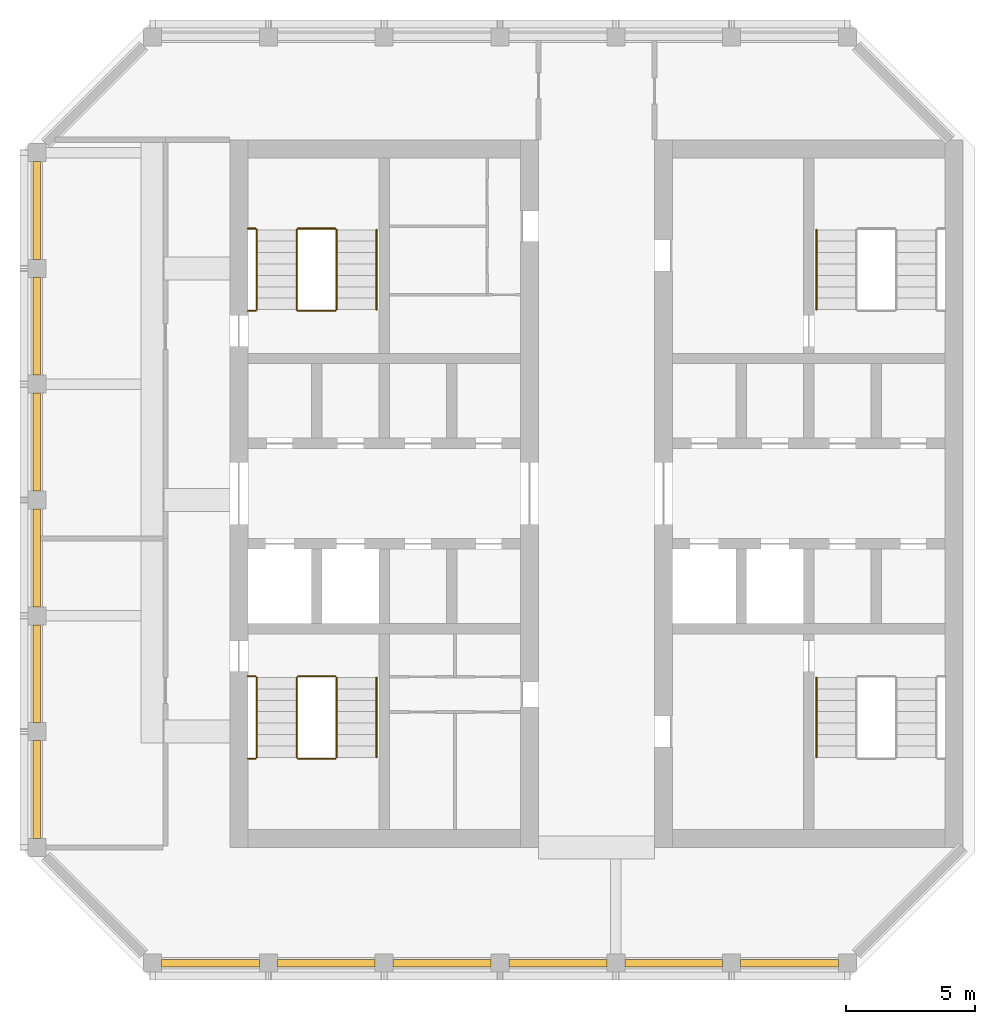
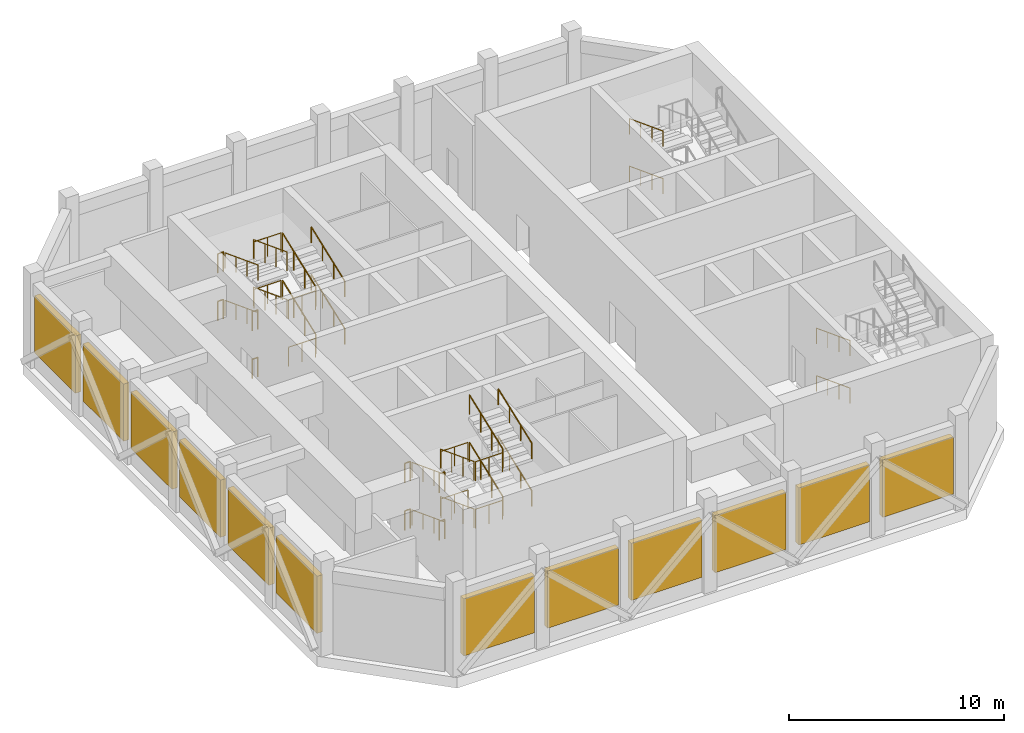
# One storey, part 6 of 7: 36 railings, 12 shading devices.
"""IFC4 building model written with IfcOpenShell, lengths in metres."""

from ifc_helpers import new_model, si_unit, direction, frame, origin, origin_2d, place, context, subcontext, project, spatial, rectangle, circle, extrude, material, layer, layer_set, type_object, element, save


model = new_model("IFC4")

# Units and contexts
model_context = context("Model", 3, precision=1e-05, world=origin(), true_north=direction((0.0, 1.0)))
body_context = subcontext(model_context, "Body", "Model", "MODEL_VIEW")
ifc_project = project(units=[si_unit("LENGTHUNIT", "METRE"), si_unit("AREAUNIT", "SQUARE_METRE"), si_unit("VOLUMEUNIT", "CUBIC_METRE"), si_unit("PLANEANGLEUNIT", "RADIAN"), si_unit("MASSUNIT", "GRAM", prefix="KILO")], contexts=[model_context])

# Site, building, storey
site_placement = place(None, origin())
site = spatial("IfcSite", under=ifc_project, at=site_placement, CompositionType="ELEMENT")
building_placement = place(site_placement, origin())
building = spatial("IfcBuilding", under=site, at=building_placement, Name="Corbel Stack Research Tower", CompositionType="ELEMENT")
storey_placement = place(building_placement, frame((0.0, 0.0, 306.39990234375)))
storey = spatial("IfcBuildingStorey", under=building, at=storey_placement, Name="L69", CompositionType="ELEMENT", Elevation=306.39990234375)

# Shading devices
ifc_material_1 = material(Name="Aluminium louvre", Category="aluminium")
ifc_layer = layer(ifc_material_1, 0.300048828125)
ifc_layer_set = layer_set([ifc_layer], Name="Aluminium louvre")
shading_device_type = type_object("IfcShadingDeviceType", Name="Plant louvre 300", PredefinedType="USERDEFINED", material=ifc_layer_set)
for number, where, z_axis, x_axis, name in (
    (1, (-11.25, -13.5, 0.85009765625), (0.0, 0.0, 1.0), (1.0, 0.0, 0.0), "Plant louvre L69-01"),
    (2, (-6.75, -13.5, 0.85009765625), (0.0, 0.0, 1.0), (1.0, 0.0, 0.0), "Plant louvre L69-02"),
    (3, (-2.25, -13.5, 0.85009765625), (0.0, 0.0, 1.0), (1.0, 0.0, 0.0), "Plant louvre L69-03"),
    (4, (2.25, -13.5, 0.85009765625), (0.0, 0.0, 1.0), (1.0, 0.0, 0.0), "Plant louvre L69-04"),
    (5, (6.75, -13.5, 0.85009765625), (0.0, 0.0, 1.0), (1.0, 0.0, 0.0), "Plant louvre L69-05"),
    (6, (11.25, -13.5, 0.85009765625), (0.0, 0.0, 1.0), (1.0, 0.0, 0.0), "Plant louvre L69-06"),
    (7, (-18.0, 15.75, 0.85009765625), (0.0, 0.0, 1.0), (0.0, -1.0, 0.0), "Plant louvre L69-16"),
    (8, (-18.0, 11.25, 0.85009765625), (0.0, 0.0, 1.0), (0.0, -1.0, 0.0), "Plant louvre L69-17"),
    (9, (-18.0, 6.75, 0.85009765625), (0.0, 0.0, 1.0), (0.0, -1.0, 0.0), "Plant louvre L69-18"),
    (10, (-18.0, 2.25, 0.85009765625), (0.0, 0.0, 1.0), (0.0, -1.0, 0.0), "Plant louvre L69-19"),
    (11, (-18.0, -2.25, 0.85009765625), (0.0, 0.0, 1.0), (0.0, -1.0, 0.0), "Plant louvre L69-20"),
    (12, (-18.0, -6.75, 0.85009765625), (0.0, 0.0, 1.0), (0.0, -1.0, 0.0), "Plant louvre L69-21"),
):
    element("IfcShadingDevice", number, at=place(storey_placement, frame(where, z_axis=z_axis, x_axis=x_axis)), inside=storey, type_object=shading_device_type, Name=name, ObjectType="LOUVRE", PredefinedType="USERDEFINED", context=body_context, shape_type="SweptSolid", body=[
        extrude(rectangle(XDim=3.800048828125, YDim=0.300048828125, at=origin_2d()), origin(), (0.0, 0.0, 1.0), 3.25),
    ])

# Railings
ifc_material_2 = material(Name="Steel S355", Category="steel")
railing_type_1 = type_object("IfcRailingType", Name="Stair guard 1100", PredefinedType="GUARDRAIL", material=ifc_material_2)
railing_1_placement = place(storey_placement, frame((-7.89990234375, -2.39990234375, 0.1689453125)))
element("IfcRailing", 13, at=railing_1_placement, inside=storey, type_object=railing_type_1, Name="L69 ST-W1 stair guard 1", PredefinedType="GUARDRAIL", context=body_context, shape_type="SweptSolid", body=[
    extrude(circle(Radius=0.02392578125, at=origin_2d()), frame((0.0, 0.0, 1.076171875), z_axis=(0.0, -0.934508712189, 0.355940257406), x_axis=(1.0, 0.0, 0.0)), (0.0, 0.0, 1.0), 3.318359375),
    extrude(circle(Radius=0.02099609375, at=origin_2d()), origin(), (0.0, 0.0, 1.0), 1.052001953125),
    extrude(circle(Radius=0.02099609375, at=origin_2d()), frame((0.0, -1.03369140625, 0.393798828125)), (0.0, 0.0, 1.0), 1.052001953125),
    extrude(circle(Radius=0.02099609375, at=origin_2d()), frame((0.0, -2.0673828125, 0.787353515625)), (0.0, 0.0, 1.0), 1.052001953125),
    extrude(circle(Radius=0.02099609375, at=origin_2d()), frame((0.0, -3.10107421875, 1.18115234375)), (0.0, 0.0, 1.0), 1.052001953125),
])
railing_2_placement = place(storey_placement, frame((-7.85009765625, -5.551025390625, 1.35009765625)))
element("IfcRailing", 14, at=railing_2_placement, inside=storey, type_object=railing_type_1, Name="L69 ST-W1 stair guard 2", PredefinedType="GUARDRAIL", context=body_context, shape_type="SweptSolid", body=[
    extrude(circle(Radius=0.02392578125, at=origin_2d()), frame((0.0, 0.0, 1.076171875), z_axis=(1.0, 0.0, 0.0), x_axis=(0.0, 1.0, 0.0)), (0.0, 0.0, 1.0), 1.4501953125),
    extrude(circle(Radius=0.02099609375, at=origin_2d()), origin(), (0.0, 0.0, 1.0), 1.052001953125),
    extrude(circle(Radius=0.02099609375, at=origin_2d()), frame((0.72509765625, 0.0, 0.0)), (0.0, 0.0, 1.0), 1.052001953125),
    extrude(circle(Radius=0.02099609375, at=origin_2d()), frame((1.4501953125, 0.0, 0.0)), (0.0, 0.0, 1.0), 1.052001953125),
])
railing_3_placement = place(storey_placement, frame((-9.800048828125, -5.551025390625, 1.35009765625)))
element("IfcRailing", 15, at=railing_3_placement, inside=storey, type_object=railing_type_1, Name="L69 ST-W1 stair guard 3", PredefinedType="GUARDRAIL", context=body_context, shape_type="SweptSolid", body=[
    extrude(circle(Radius=0.02392578125, at=origin_2d()), frame((0.0, 0.0, 1.076171875), z_axis=(1.0, 0.0, 0.0), x_axis=(0.0, 1.0, 0.0)), (0.0, 0.0, 1.0), 0.300048828125),
    extrude(circle(Radius=0.02099609375, at=origin_2d()), origin(), (0.0, 0.0, 1.0), 1.052001953125),
    extrude(circle(Radius=0.02099609375, at=origin_2d()), frame((0.300048828125, 0.0, 0.0)), (0.0, 0.0, 1.0), 1.052001953125),
])
railing_4_placement = place(storey_placement, frame((-6.35009765625, -5.5009765625, 1.518798828125)))
element("IfcRailing", 16, at=railing_4_placement, inside=storey, type_object=railing_type_1, Name="L69 ST-W1 stair guard 4", PredefinedType="GUARDRAIL", context=body_context, shape_type="SweptSolid", body=[
    extrude(circle(Radius=0.02392578125, at=origin_2d()), frame((0.0, 0.0, 1.076171875), z_axis=(0.0, 0.934484238495, 0.356004505596), x_axis=(-1.0, 0.0, 0.0)), (0.0, 0.0, 1.0), 3.318603515625),
    extrude(circle(Radius=0.02099609375, at=origin_2d()), origin(), (0.0, 0.0, 1.0), 1.052001953125),
    extrude(circle(Radius=0.02099609375, at=origin_2d()), frame((0.0, 1.03369140625, 0.393798828125)), (0.0, 0.0, 1.0), 1.052001953125),
    extrude(circle(Radius=0.02099609375, at=origin_2d()), frame((0.0, 2.0673828125, 0.78759765625)), (0.0, 0.0, 1.0), 1.052001953125),
    extrude(circle(Radius=0.02099609375, at=origin_2d()), frame((0.0, 3.10107421875, 1.181396484375)), (0.0, 0.0, 1.0), 1.052001953125),
])
railing_5_placement = place(storey_placement, frame((-7.85009765625, -2.35009765625, 2.7001953125)))
element("IfcRailing", 17, at=railing_5_placement, inside=storey, type_object=railing_type_1, Name="L69 ST-W1 stair guard 5", PredefinedType="GUARDRAIL", context=body_context, shape_type="SweptSolid", body=[
    extrude(circle(Radius=0.02392578125, at=origin_2d()), frame((0.0, 0.0, 1.076171875), z_axis=(1.0, 0.0, 0.0), x_axis=(0.0, 1.0, 0.0)), (0.0, 0.0, 1.0), 1.4501953125),
    extrude(circle(Radius=0.02099609375, at=origin_2d()), origin(), (0.0, 0.0, 1.0), 1.052001953125),
    extrude(circle(Radius=0.02099609375, at=origin_2d()), frame((0.72509765625, 0.0, 0.0)), (0.0, 0.0, 1.0), 1.052001953125),
    extrude(circle(Radius=0.02099609375, at=origin_2d()), frame((1.4501953125, 0.0, 0.0)), (0.0, 0.0, 1.0), 1.052001953125),
])
railing_6_placement = place(storey_placement, frame((-9.800048828125, -2.35009765625, 2.7001953125)))
element("IfcRailing", 18, at=railing_6_placement, inside=storey, type_object=railing_type_1, Name="L69 ST-W1 stair guard 6", PredefinedType="GUARDRAIL", context=body_context, shape_type="SweptSolid", body=[
    extrude(circle(Radius=0.02392578125, at=origin_2d()), frame((0.0, 0.0, 1.076171875), z_axis=(1.0, 0.0, 0.0), x_axis=(0.0, 1.0, 0.0)), (0.0, 0.0, 1.0), 0.300048828125),
    extrude(circle(Radius=0.02099609375, at=origin_2d()), origin(), (0.0, 0.0, 1.0), 1.052001953125),
    extrude(circle(Radius=0.02099609375, at=origin_2d()), frame((0.300048828125, 0.0, 0.0)), (0.0, 0.0, 1.0), 1.052001953125),
])
railing_7_placement = place(storey_placement, frame((-7.89990234375, -2.39990234375, 2.868896484375)))
element("IfcRailing", 19, at=railing_7_placement, inside=storey, type_object=railing_type_1, Name="L69 ST-W1 stair guard 7", PredefinedType="GUARDRAIL", context=body_context, shape_type="SweptSolid", body=[
    extrude(circle(Radius=0.02392578125, at=origin_2d()), frame((0.0, 0.0, 1.076171875), z_axis=(0.0, -0.934508712189, 0.355940257406), x_axis=(1.0, 0.0, 0.0)), (0.0, 0.0, 1.0), 3.318359375),
    extrude(circle(Radius=0.02099609375, at=origin_2d()), origin(), (0.0, 0.0, 1.0), 1.052001953125),
    extrude(circle(Radius=0.02099609375, at=origin_2d()), frame((0.0, -1.03369140625, 0.393798828125)), (0.0, 0.0, 1.0), 1.052001953125),
    extrude(circle(Radius=0.02099609375, at=origin_2d()), frame((0.0, -2.0673828125, 0.787353515625)), (0.0, 0.0, 1.0), 1.052001953125),
    extrude(circle(Radius=0.02099609375, at=origin_2d()), frame((0.0, -3.10107421875, 1.18115234375)), (0.0, 0.0, 1.0), 1.052001953125),
])
railing_8_placement = place(storey_placement, frame((-7.85009765625, -5.551025390625, 4.050048828125)))
element("IfcRailing", 20, at=railing_8_placement, inside=storey, type_object=railing_type_1, Name="L69 ST-W1 stair guard 8", PredefinedType="GUARDRAIL", context=body_context, shape_type="SweptSolid", body=[
    extrude(circle(Radius=0.02392578125, at=origin_2d()), frame((0.0, 0.0, 1.076171875), z_axis=(1.0, 0.0, 0.0), x_axis=(0.0, 1.0, 0.0)), (0.0, 0.0, 1.0), 1.4501953125),
    extrude(circle(Radius=0.02099609375, at=origin_2d()), origin(), (0.0, 0.0, 1.0), 1.052001953125),
    extrude(circle(Radius=0.02099609375, at=origin_2d()), frame((0.72509765625, 0.0, 0.0)), (0.0, 0.0, 1.0), 1.052001953125),
    extrude(circle(Radius=0.02099609375, at=origin_2d()), frame((1.4501953125, 0.0, 0.0)), (0.0, 0.0, 1.0), 1.052001953125),
])
railing_9_placement = place(storey_placement, frame((-9.800048828125, -5.551025390625, 4.050048828125)))
element("IfcRailing", 21, at=railing_9_placement, inside=storey, type_object=railing_type_1, Name="L69 ST-W1 stair guard 9", PredefinedType="GUARDRAIL", context=body_context, shape_type="SweptSolid", body=[
    extrude(circle(Radius=0.02392578125, at=origin_2d()), frame((0.0, 0.0, 1.076171875), z_axis=(1.0, 0.0, 0.0), x_axis=(0.0, 1.0, 0.0)), (0.0, 0.0, 1.0), 0.300048828125),
    extrude(circle(Radius=0.02099609375, at=origin_2d()), origin(), (0.0, 0.0, 1.0), 1.052001953125),
    extrude(circle(Radius=0.02099609375, at=origin_2d()), frame((0.300048828125, 0.0, 0.0)), (0.0, 0.0, 1.0), 1.052001953125),
])
railing_10_placement = place(storey_placement, frame((-6.35009765625, -5.5009765625, 4.21875)))
element("IfcRailing", 22, at=railing_10_placement, inside=storey, type_object=railing_type_1, Name="L69 ST-W1 stair guard 10", PredefinedType="GUARDRAIL", context=body_context, shape_type="SweptSolid", body=[
    extrude(circle(Radius=0.02392578125, at=origin_2d()), frame((0.0, 0.0, 1.076171875), z_axis=(0.0, 0.934484238495, 0.356004505596), x_axis=(-1.0, 0.0, 0.0)), (0.0, 0.0, 1.0), 3.318603515625),
    extrude(circle(Radius=0.02099609375, at=origin_2d()), origin(), (0.0, 0.0, 1.0), 1.052001953125),
    extrude(circle(Radius=0.02099609375, at=origin_2d()), frame((0.0, 1.03369140625, 0.393798828125)), (0.0, 0.0, 1.0), 1.052001953125),
    extrude(circle(Radius=0.02099609375, at=origin_2d()), frame((0.0, 2.0673828125, 0.78759765625)), (0.0, 0.0, 1.0), 1.052001953125),
    extrude(circle(Radius=0.02099609375, at=origin_2d()), frame((0.0, 3.10107421875, 1.181396484375)), (0.0, 0.0, 1.0), 1.052001953125),
])
railing_11_placement = place(storey_placement, frame((-7.85009765625, -2.35009765625, 0.0)))
element("IfcRailing", 23, at=railing_11_placement, inside=storey, type_object=railing_type_1, Name="L69 ST-W1 stair guard 11", PredefinedType="GUARDRAIL", context=body_context, shape_type="SweptSolid", body=[
    extrude(circle(Radius=0.02392578125, at=origin_2d()), frame((0.0, 0.0, 1.076171875), z_axis=(1.0, 0.0, 0.0), x_axis=(0.0, 1.0, 0.0)), (0.0, 0.0, 1.0), 1.4501953125),
    extrude(circle(Radius=0.02099609375, at=origin_2d()), origin(), (0.0, 0.0, 1.0), 1.052001953125),
    extrude(circle(Radius=0.02099609375, at=origin_2d()), frame((0.72509765625, 0.0, 0.0)), (0.0, 0.0, 1.0), 1.052001953125),
    extrude(circle(Radius=0.02099609375, at=origin_2d()), frame((1.4501953125, 0.0, 0.0)), (0.0, 0.0, 1.0), 1.052001953125),
])
railing_12_placement = place(storey_placement, frame((-9.800048828125, -2.35009765625, 0.0)))
element("IfcRailing", 24, at=railing_12_placement, inside=storey, type_object=railing_type_1, Name="L69 ST-W1 stair guard 12", PredefinedType="GUARDRAIL", context=body_context, shape_type="SweptSolid", body=[
    extrude(circle(Radius=0.02392578125, at=origin_2d()), frame((0.0, 0.0, 1.076171875), z_axis=(1.0, 0.0, 0.0), x_axis=(0.0, 1.0, 0.0)), (0.0, 0.0, 1.0), 0.300048828125),
    extrude(circle(Radius=0.02099609375, at=origin_2d()), origin(), (0.0, 0.0, 1.0), 1.052001953125),
    extrude(circle(Radius=0.02099609375, at=origin_2d()), frame((0.300048828125, 0.0, 0.0)), (0.0, 0.0, 1.0), 1.052001953125),
])
railing_13_placement = place(storey_placement, frame((-6.35009765625, 11.89990234375, 0.1689453125)))
element("IfcRailing", 25, at=railing_13_placement, inside=storey, type_object=railing_type_1, Name="L69 ST-W2 stair guard 1", PredefinedType="GUARDRAIL", context=body_context, shape_type="SweptSolid", body=[
    extrude(circle(Radius=0.02392578125, at=origin_2d()), frame((0.0, 0.0, 1.076171875), z_axis=(0.0, 0.934508712189, 0.355940257406), x_axis=(-1.0, 0.0, 0.0)), (0.0, 0.0, 1.0), 3.318359375),
    extrude(circle(Radius=0.02099609375, at=origin_2d()), origin(), (0.0, 0.0, 1.0), 1.052001953125),
    extrude(circle(Radius=0.02099609375, at=origin_2d()), frame((0.0, 1.03369140625, 0.393798828125)), (0.0, 0.0, 1.0), 1.052001953125),
    extrude(circle(Radius=0.02099609375, at=origin_2d()), frame((0.0, 2.0673828125, 0.787353515625)), (0.0, 0.0, 1.0), 1.052001953125),
    extrude(circle(Radius=0.02099609375, at=origin_2d()), frame((0.0, 3.10107421875, 1.18115234375)), (0.0, 0.0, 1.0), 1.052001953125),
])
railing_14_placement = place(storey_placement, frame((-6.39990234375, 15.051025390625, 1.35009765625)))
element("IfcRailing", 26, at=railing_14_placement, inside=storey, type_object=railing_type_1, Name="L69 ST-W2 stair guard 2", PredefinedType="GUARDRAIL", context=body_context, shape_type="SweptSolid", body=[
    extrude(circle(Radius=0.02392578125, at=origin_2d()), frame((0.0, 0.0, 1.076171875), z_axis=(-1.0, 0.0, 0.0), x_axis=(0.0, -1.0, 0.0)), (0.0, 0.0, 1.0), 1.4501953125),
    extrude(circle(Radius=0.02099609375, at=origin_2d()), origin(), (0.0, 0.0, 1.0), 1.052001953125),
    extrude(circle(Radius=0.02099609375, at=origin_2d()), frame((-0.72509765625, 0.0, 0.0)), (0.0, 0.0, 1.0), 1.052001953125),
    extrude(circle(Radius=0.02099609375, at=origin_2d()), frame((-1.4501953125, 0.0, 0.0)), (0.0, 0.0, 1.0), 1.052001953125),
])
railing_15_placement = place(storey_placement, frame((-9.5, 15.051025390625, 1.35009765625)))
element("IfcRailing", 27, at=railing_15_placement, inside=storey, type_object=railing_type_1, Name="L69 ST-W2 stair guard 3", PredefinedType="GUARDRAIL", context=body_context, shape_type="SweptSolid", body=[
    extrude(circle(Radius=0.02392578125, at=origin_2d()), frame((0.0, 0.0, 1.076171875), z_axis=(-1.0, 0.0, 0.0), x_axis=(0.0, -1.0, 0.0)), (0.0, 0.0, 1.0), 0.300048828125),
    extrude(circle(Radius=0.02099609375, at=origin_2d()), origin(), (0.0, 0.0, 1.0), 1.052001953125),
    extrude(circle(Radius=0.02099609375, at=origin_2d()), frame((-0.300048828125, 0.0, 0.0)), (0.0, 0.0, 1.0), 1.052001953125),
])
railing_16_placement = place(storey_placement, frame((-7.89990234375, 15.0009765625, 1.518798828125)))
element("IfcRailing", 28, at=railing_16_placement, inside=storey, type_object=railing_type_1, Name="L69 ST-W2 stair guard 4", PredefinedType="GUARDRAIL", context=body_context, shape_type="SweptSolid", body=[
    extrude(circle(Radius=0.02392578125, at=origin_2d()), frame((0.0, 0.0, 1.076171875), z_axis=(0.0, -0.934484238495, 0.356004505596), x_axis=(1.0, 0.0, 0.0)), (0.0, 0.0, 1.0), 3.318603515625),
    extrude(circle(Radius=0.02099609375, at=origin_2d()), origin(), (0.0, 0.0, 1.0), 1.052001953125),
    extrude(circle(Radius=0.02099609375, at=origin_2d()), frame((0.0, -1.03369140625, 0.393798828125)), (0.0, 0.0, 1.0), 1.052001953125),
    extrude(circle(Radius=0.02099609375, at=origin_2d()), frame((0.0, -2.0673828125, 0.78759765625)), (0.0, 0.0, 1.0), 1.052001953125),
    extrude(circle(Radius=0.02099609375, at=origin_2d()), frame((0.0, -3.10107421875, 1.181396484375)), (0.0, 0.0, 1.0), 1.052001953125),
])
railing_17_placement = place(storey_placement, frame((-6.39990234375, 11.85009765625, 2.7001953125)))
element("IfcRailing", 29, at=railing_17_placement, inside=storey, type_object=railing_type_1, Name="L69 ST-W2 stair guard 5", PredefinedType="GUARDRAIL", context=body_context, shape_type="SweptSolid", body=[
    extrude(circle(Radius=0.02392578125, at=origin_2d()), frame((0.0, 0.0, 1.076171875), z_axis=(-1.0, 0.0, 0.0), x_axis=(0.0, -1.0, 0.0)), (0.0, 0.0, 1.0), 1.4501953125),
    extrude(circle(Radius=0.02099609375, at=origin_2d()), origin(), (0.0, 0.0, 1.0), 1.052001953125),
    extrude(circle(Radius=0.02099609375, at=origin_2d()), frame((-0.72509765625, 0.0, 0.0)), (0.0, 0.0, 1.0), 1.052001953125),
    extrude(circle(Radius=0.02099609375, at=origin_2d()), frame((-1.4501953125, 0.0, 0.0)), (0.0, 0.0, 1.0), 1.052001953125),
])
railing_18_placement = place(storey_placement, frame((-9.5, 11.85009765625, 2.7001953125)))
element("IfcRailing", 30, at=railing_18_placement, inside=storey, type_object=railing_type_1, Name="L69 ST-W2 stair guard 6", PredefinedType="GUARDRAIL", context=body_context, shape_type="SweptSolid", body=[
    extrude(circle(Radius=0.02392578125, at=origin_2d()), frame((0.0, 0.0, 1.076171875), z_axis=(-1.0, 0.0, 0.0), x_axis=(0.0, -1.0, 0.0)), (0.0, 0.0, 1.0), 0.300048828125),
    extrude(circle(Radius=0.02099609375, at=origin_2d()), origin(), (0.0, 0.0, 1.0), 1.052001953125),
    extrude(circle(Radius=0.02099609375, at=origin_2d()), frame((-0.300048828125, 0.0, 0.0)), (0.0, 0.0, 1.0), 1.052001953125),
])
railing_19_placement = place(storey_placement, frame((-6.35009765625, 11.89990234375, 2.868896484375)))
element("IfcRailing", 31, at=railing_19_placement, inside=storey, type_object=railing_type_1, Name="L69 ST-W2 stair guard 7", PredefinedType="GUARDRAIL", context=body_context, shape_type="SweptSolid", body=[
    extrude(circle(Radius=0.02392578125, at=origin_2d()), frame((0.0, 0.0, 1.076171875), z_axis=(0.0, 0.934508712189, 0.355940257406), x_axis=(-1.0, 0.0, 0.0)), (0.0, 0.0, 1.0), 3.318359375),
    extrude(circle(Radius=0.02099609375, at=origin_2d()), origin(), (0.0, 0.0, 1.0), 1.052001953125),
    extrude(circle(Radius=0.02099609375, at=origin_2d()), frame((0.0, 1.03369140625, 0.393798828125)), (0.0, 0.0, 1.0), 1.052001953125),
    extrude(circle(Radius=0.02099609375, at=origin_2d()), frame((0.0, 2.0673828125, 0.787353515625)), (0.0, 0.0, 1.0), 1.052001953125),
    extrude(circle(Radius=0.02099609375, at=origin_2d()), frame((0.0, 3.10107421875, 1.18115234375)), (0.0, 0.0, 1.0), 1.052001953125),
])
railing_20_placement = place(storey_placement, frame((-6.39990234375, 15.051025390625, 4.050048828125)))
element("IfcRailing", 32, at=railing_20_placement, inside=storey, type_object=railing_type_1, Name="L69 ST-W2 stair guard 8", PredefinedType="GUARDRAIL", context=body_context, shape_type="SweptSolid", body=[
    extrude(circle(Radius=0.02392578125, at=origin_2d()), frame((0.0, 0.0, 1.076171875), z_axis=(-1.0, 0.0, 0.0), x_axis=(0.0, -1.0, 0.0)), (0.0, 0.0, 1.0), 1.4501953125),
    extrude(circle(Radius=0.02099609375, at=origin_2d()), origin(), (0.0, 0.0, 1.0), 1.052001953125),
    extrude(circle(Radius=0.02099609375, at=origin_2d()), frame((-0.72509765625, 0.0, 0.0)), (0.0, 0.0, 1.0), 1.052001953125),
    extrude(circle(Radius=0.02099609375, at=origin_2d()), frame((-1.4501953125, 0.0, 0.0)), (0.0, 0.0, 1.0), 1.052001953125),
])
railing_21_placement = place(storey_placement, frame((-9.5, 15.051025390625, 4.050048828125)))
element("IfcRailing", 33, at=railing_21_placement, inside=storey, type_object=railing_type_1, Name="L69 ST-W2 stair guard 9", PredefinedType="GUARDRAIL", context=body_context, shape_type="SweptSolid", body=[
    extrude(circle(Radius=0.02392578125, at=origin_2d()), frame((0.0, 0.0, 1.076171875), z_axis=(-1.0, 0.0, 0.0), x_axis=(0.0, -1.0, 0.0)), (0.0, 0.0, 1.0), 0.300048828125),
    extrude(circle(Radius=0.02099609375, at=origin_2d()), origin(), (0.0, 0.0, 1.0), 1.052001953125),
    extrude(circle(Radius=0.02099609375, at=origin_2d()), frame((-0.300048828125, 0.0, 0.0)), (0.0, 0.0, 1.0), 1.052001953125),
])
railing_22_placement = place(storey_placement, frame((-7.89990234375, 15.0009765625, 4.21875)))
element("IfcRailing", 34, at=railing_22_placement, inside=storey, type_object=railing_type_1, Name="L69 ST-W2 stair guard 10", PredefinedType="GUARDRAIL", context=body_context, shape_type="SweptSolid", body=[
    extrude(circle(Radius=0.02392578125, at=origin_2d()), frame((0.0, 0.0, 1.076171875), z_axis=(0.0, -0.934484238495, 0.356004505596), x_axis=(1.0, 0.0, 0.0)), (0.0, 0.0, 1.0), 3.318603515625),
    extrude(circle(Radius=0.02099609375, at=origin_2d()), origin(), (0.0, 0.0, 1.0), 1.052001953125),
    extrude(circle(Radius=0.02099609375, at=origin_2d()), frame((0.0, -1.03369140625, 0.393798828125)), (0.0, 0.0, 1.0), 1.052001953125),
    extrude(circle(Radius=0.02099609375, at=origin_2d()), frame((0.0, -2.0673828125, 0.78759765625)), (0.0, 0.0, 1.0), 1.052001953125),
    extrude(circle(Radius=0.02099609375, at=origin_2d()), frame((0.0, -3.10107421875, 1.181396484375)), (0.0, 0.0, 1.0), 1.052001953125),
])
railing_23_placement = place(storey_placement, frame((-6.39990234375, 11.85009765625, 0.0)))
element("IfcRailing", 35, at=railing_23_placement, inside=storey, type_object=railing_type_1, Name="L69 ST-W2 stair guard 11", PredefinedType="GUARDRAIL", context=body_context, shape_type="SweptSolid", body=[
    extrude(circle(Radius=0.02392578125, at=origin_2d()), frame((0.0, 0.0, 1.076171875), z_axis=(-1.0, 0.0, 0.0), x_axis=(0.0, -1.0, 0.0)), (0.0, 0.0, 1.0), 1.4501953125),
    extrude(circle(Radius=0.02099609375, at=origin_2d()), origin(), (0.0, 0.0, 1.0), 1.052001953125),
    extrude(circle(Radius=0.02099609375, at=origin_2d()), frame((-0.72509765625, 0.0, 0.0)), (0.0, 0.0, 1.0), 1.052001953125),
    extrude(circle(Radius=0.02099609375, at=origin_2d()), frame((-1.4501953125, 0.0, 0.0)), (0.0, 0.0, 1.0), 1.052001953125),
])
railing_24_placement = place(storey_placement, frame((-9.5, 11.85009765625, 0.0)))
element("IfcRailing", 36, at=railing_24_placement, inside=storey, type_object=railing_type_1, Name="L69 ST-W2 stair guard 12", PredefinedType="GUARDRAIL", context=body_context, shape_type="SweptSolid", body=[
    extrude(circle(Radius=0.02392578125, at=origin_2d()), frame((0.0, 0.0, 1.076171875), z_axis=(-1.0, 0.0, 0.0), x_axis=(0.0, -1.0, 0.0)), (0.0, 0.0, 1.0), 0.300048828125),
    extrude(circle(Radius=0.02099609375, at=origin_2d()), origin(), (0.0, 0.0, 1.0), 1.052001953125),
    extrude(circle(Radius=0.02099609375, at=origin_2d()), frame((-0.300048828125, 0.0, 0.0)), (0.0, 0.0, 1.0), 1.052001953125),
])
ifc_material_3 = material(Name="Steel S355", Category="steel")
railing_type_2 = type_object("IfcRailingType", Name="Stair handrail 900", PredefinedType="HANDRAIL", material=ifc_material_3)
railing_25_placement = place(storey_placement, frame((-9.449951171875, -2.39990234375, 0.1689453125)))
element("IfcRailing", 37, at=railing_25_placement, inside=storey, type_object=railing_type_2, Name="L69 ST-W1 stair handrail 1", PredefinedType="HANDRAIL", context=body_context, shape_type="SweptSolid", body=[
    extrude(circle(Radius=0.02392578125, at=origin_2d()), frame((0.0, 0.0, 0.8759765625), z_axis=(0.0, -0.934508712189, 0.355940257406), x_axis=(1.0, 0.0, 0.0)), (0.0, 0.0, 1.0), 3.318359375),
    extrude(circle(Radius=0.02099609375, at=origin_2d()), origin(), (0.0, 0.0, 1.0), 0.851806640625),
    extrude(circle(Radius=0.02099609375, at=origin_2d()), frame((0.0, -1.03369140625, 0.393798828125)), (0.0, 0.0, 1.0), 0.851806640625),
    extrude(circle(Radius=0.02099609375, at=origin_2d()), frame((0.0, -2.0673828125, 0.787353515625)), (0.0, 0.0, 1.0), 0.851806640625),
    extrude(circle(Radius=0.02099609375, at=origin_2d()), frame((0.0, -3.10107421875, 1.18115234375)), (0.0, 0.0, 1.0), 0.851806640625),
])
railing_26_placement = place(storey_placement, frame((-4.800048828125, -5.5009765625, 1.518798828125)))
element("IfcRailing", 38, at=railing_26_placement, inside=storey, type_object=railing_type_2, Name="L69 ST-W1 stair handrail 2", PredefinedType="HANDRAIL", context=body_context, shape_type="SweptSolid", body=[
    extrude(circle(Radius=0.02392578125, at=origin_2d()), frame((0.0, 0.0, 0.8759765625), z_axis=(0.0, 0.934484238495, 0.356004505596), x_axis=(-1.0, 0.0, 0.0)), (0.0, 0.0, 1.0), 3.318603515625),
    extrude(circle(Radius=0.02099609375, at=origin_2d()), origin(), (0.0, 0.0, 1.0), 0.851806640625),
    extrude(circle(Radius=0.02099609375, at=origin_2d()), frame((0.0, 1.03369140625, 0.393798828125)), (0.0, 0.0, 1.0), 0.851806640625),
    extrude(circle(Radius=0.02099609375, at=origin_2d()), frame((0.0, 2.0673828125, 0.78759765625)), (0.0, 0.0, 1.0), 0.851806640625),
    extrude(circle(Radius=0.02099609375, at=origin_2d()), frame((0.0, 3.10107421875, 1.181396484375)), (0.0, 0.0, 1.0), 0.851806640625),
])
railing_27_placement = place(storey_placement, frame((-9.449951171875, -2.39990234375, 2.868896484375)))
element("IfcRailing", 39, at=railing_27_placement, inside=storey, type_object=railing_type_2, Name="L69 ST-W1 stair handrail 3", PredefinedType="HANDRAIL", context=body_context, shape_type="SweptSolid", body=[
    extrude(circle(Radius=0.02392578125, at=origin_2d()), frame((0.0, 0.0, 0.8759765625), z_axis=(0.0, -0.934508712189, 0.355940257406), x_axis=(1.0, 0.0, 0.0)), (0.0, 0.0, 1.0), 3.318359375),
    extrude(circle(Radius=0.02099609375, at=origin_2d()), origin(), (0.0, 0.0, 1.0), 0.851806640625),
    extrude(circle(Radius=0.02099609375, at=origin_2d()), frame((0.0, -1.03369140625, 0.393798828125)), (0.0, 0.0, 1.0), 0.851806640625),
    extrude(circle(Radius=0.02099609375, at=origin_2d()), frame((0.0, -2.0673828125, 0.787353515625)), (0.0, 0.0, 1.0), 0.851806640625),
    extrude(circle(Radius=0.02099609375, at=origin_2d()), frame((0.0, -3.10107421875, 1.18115234375)), (0.0, 0.0, 1.0), 0.851806640625),
])
railing_28_placement = place(storey_placement, frame((-4.800048828125, -5.5009765625, 4.21875)))
element("IfcRailing", 40, at=railing_28_placement, inside=storey, type_object=railing_type_2, Name="L69 ST-W1 stair handrail 4", PredefinedType="HANDRAIL", context=body_context, shape_type="SweptSolid", body=[
    extrude(circle(Radius=0.02392578125, at=origin_2d()), frame((0.0, 0.0, 0.8759765625), z_axis=(0.0, 0.934484238495, 0.356004505596), x_axis=(-1.0, 0.0, 0.0)), (0.0, 0.0, 1.0), 3.318603515625),
    extrude(circle(Radius=0.02099609375, at=origin_2d()), origin(), (0.0, 0.0, 1.0), 0.851806640625),
    extrude(circle(Radius=0.02099609375, at=origin_2d()), frame((0.0, 1.03369140625, 0.393798828125)), (0.0, 0.0, 1.0), 0.851806640625),
    extrude(circle(Radius=0.02099609375, at=origin_2d()), frame((0.0, 2.0673828125, 0.78759765625)), (0.0, 0.0, 1.0), 0.851806640625),
    extrude(circle(Radius=0.02099609375, at=origin_2d()), frame((0.0, 3.10107421875, 1.181396484375)), (0.0, 0.0, 1.0), 0.851806640625),
])
railing_29_placement = place(storey_placement, frame((-4.800048828125, 11.89990234375, 0.1689453125)))
element("IfcRailing", 41, at=railing_29_placement, inside=storey, type_object=railing_type_2, Name="L69 ST-W2 stair handrail 1", PredefinedType="HANDRAIL", context=body_context, shape_type="SweptSolid", body=[
    extrude(circle(Radius=0.02392578125, at=origin_2d()), frame((0.0, 0.0, 0.8759765625), z_axis=(0.0, 0.934508712189, 0.355940257406), x_axis=(-1.0, 0.0, 0.0)), (0.0, 0.0, 1.0), 3.318359375),
    extrude(circle(Radius=0.02099609375, at=origin_2d()), origin(), (0.0, 0.0, 1.0), 0.851806640625),
    extrude(circle(Radius=0.02099609375, at=origin_2d()), frame((0.0, 1.03369140625, 0.393798828125)), (0.0, 0.0, 1.0), 0.851806640625),
    extrude(circle(Radius=0.02099609375, at=origin_2d()), frame((0.0, 2.0673828125, 0.787353515625)), (0.0, 0.0, 1.0), 0.851806640625),
    extrude(circle(Radius=0.02099609375, at=origin_2d()), frame((0.0, 3.10107421875, 1.18115234375)), (0.0, 0.0, 1.0), 0.851806640625),
])
railing_30_placement = place(storey_placement, frame((-9.449951171875, 15.0009765625, 1.518798828125)))
element("IfcRailing", 42, at=railing_30_placement, inside=storey, type_object=railing_type_2, Name="L69 ST-W2 stair handrail 2", PredefinedType="HANDRAIL", context=body_context, shape_type="SweptSolid", body=[
    extrude(circle(Radius=0.02392578125, at=origin_2d()), frame((0.0, 0.0, 0.8759765625), z_axis=(0.0, -0.934484238495, 0.356004505596), x_axis=(1.0, 0.0, 0.0)), (0.0, 0.0, 1.0), 3.318603515625),
    extrude(circle(Radius=0.02099609375, at=origin_2d()), origin(), (0.0, 0.0, 1.0), 0.851806640625),
    extrude(circle(Radius=0.02099609375, at=origin_2d()), frame((0.0, -1.03369140625, 0.393798828125)), (0.0, 0.0, 1.0), 0.851806640625),
    extrude(circle(Radius=0.02099609375, at=origin_2d()), frame((0.0, -2.0673828125, 0.78759765625)), (0.0, 0.0, 1.0), 0.851806640625),
    extrude(circle(Radius=0.02099609375, at=origin_2d()), frame((0.0, -3.10107421875, 1.181396484375)), (0.0, 0.0, 1.0), 0.851806640625),
])
railing_31_placement = place(storey_placement, frame((-4.800048828125, 11.89990234375, 2.868896484375)))
element("IfcRailing", 43, at=railing_31_placement, inside=storey, type_object=railing_type_2, Name="L69 ST-W2 stair handrail 3", PredefinedType="HANDRAIL", context=body_context, shape_type="SweptSolid", body=[
    extrude(circle(Radius=0.02392578125, at=origin_2d()), frame((0.0, 0.0, 0.8759765625), z_axis=(0.0, 0.934508712189, 0.355940257406), x_axis=(-1.0, 0.0, 0.0)), (0.0, 0.0, 1.0), 3.318359375),
    extrude(circle(Radius=0.02099609375, at=origin_2d()), origin(), (0.0, 0.0, 1.0), 0.851806640625),
    extrude(circle(Radius=0.02099609375, at=origin_2d()), frame((0.0, 1.03369140625, 0.393798828125)), (0.0, 0.0, 1.0), 0.851806640625),
    extrude(circle(Radius=0.02099609375, at=origin_2d()), frame((0.0, 2.0673828125, 0.787353515625)), (0.0, 0.0, 1.0), 0.851806640625),
    extrude(circle(Radius=0.02099609375, at=origin_2d()), frame((0.0, 3.10107421875, 1.18115234375)), (0.0, 0.0, 1.0), 0.851806640625),
])
railing_32_placement = place(storey_placement, frame((-9.449951171875, 15.0009765625, 4.21875)))
element("IfcRailing", 44, at=railing_32_placement, inside=storey, type_object=railing_type_2, Name="L69 ST-W2 stair handrail 4", PredefinedType="HANDRAIL", context=body_context, shape_type="SweptSolid", body=[
    extrude(circle(Radius=0.02392578125, at=origin_2d()), frame((0.0, 0.0, 0.8759765625), z_axis=(0.0, -0.934484238495, 0.356004505596), x_axis=(1.0, 0.0, 0.0)), (0.0, 0.0, 1.0), 3.318603515625),
    extrude(circle(Radius=0.02099609375, at=origin_2d()), origin(), (0.0, 0.0, 1.0), 0.851806640625),
    extrude(circle(Radius=0.02099609375, at=origin_2d()), frame((0.0, -1.03369140625, 0.393798828125)), (0.0, 0.0, 1.0), 0.851806640625),
    extrude(circle(Radius=0.02099609375, at=origin_2d()), frame((0.0, -2.0673828125, 0.78759765625)), (0.0, 0.0, 1.0), 0.851806640625),
    extrude(circle(Radius=0.02099609375, at=origin_2d()), frame((0.0, -3.10107421875, 1.181396484375)), (0.0, 0.0, 1.0), 0.851806640625),
])
for number, where, name in (
    (45, (12.300048828125, -2.39990234375, 0.1689453125), "L69 ST-E1 stair handrail 1"),
    (46, (12.300048828125, -2.39990234375, 2.868896484375), "L69 ST-E1 stair handrail 3"),
):
    element("IfcRailing", number, at=place(storey_placement, frame(where)), inside=storey, type_object=railing_type_2, Name=name, PredefinedType="HANDRAIL", context=body_context, shape_type="SweptSolid", body=[
        extrude(circle(Radius=0.02392578125, at=origin_2d()), frame((0.0, 0.0, 0.8759765625), z_axis=(0.0, -0.934508712189, 0.355940257406), x_axis=(1.0, 0.0, 0.0)), (0.0, 0.0, 1.0), 3.318359375),
        extrude(circle(Radius=0.02099609375, at=origin_2d()), origin(), (0.0, 0.0, 1.0), 0.851806640625),
        extrude(circle(Radius=0.02099609375, at=origin_2d()), frame((0.0, -1.03369140625, 0.393798828125)), (0.0, 0.0, 1.0), 0.851806640625),
        extrude(circle(Radius=0.02099609375, at=origin_2d()), frame((0.0, -2.0673828125, 0.787353515625)), (0.0, 0.0, 1.0), 0.851806640625),
        extrude(circle(Radius=0.02099609375, at=origin_2d()), frame((0.0, -3.10107421875, 1.18115234375)), (0.0, 0.0, 1.0), 0.851806640625),
    ])
for number, where, name in (
    (47, (12.300048828125, 15.0009765625, 1.518798828125), "L69 ST-E2 stair handrail 2"),
    (48, (12.300048828125, 15.0009765625, 4.21875), "L69 ST-E2 stair handrail 4"),
):
    element("IfcRailing", number, at=place(storey_placement, frame(where)), inside=storey, type_object=railing_type_2, Name=name, PredefinedType="HANDRAIL", context=body_context, shape_type="SweptSolid", body=[
        extrude(circle(Radius=0.02392578125, at=origin_2d()), frame((0.0, 0.0, 0.8759765625), z_axis=(0.0, -0.934484238495, 0.356004505596), x_axis=(1.0, 0.0, 0.0)), (0.0, 0.0, 1.0), 3.318603515625),
        extrude(circle(Radius=0.02099609375, at=origin_2d()), origin(), (0.0, 0.0, 1.0), 0.851806640625),
        extrude(circle(Radius=0.02099609375, at=origin_2d()), frame((0.0, -1.03369140625, 0.393798828125)), (0.0, 0.0, 1.0), 0.851806640625),
        extrude(circle(Radius=0.02099609375, at=origin_2d()), frame((0.0, -2.0673828125, 0.78759765625)), (0.0, 0.0, 1.0), 0.851806640625),
        extrude(circle(Radius=0.02099609375, at=origin_2d()), frame((0.0, -3.10107421875, 1.181396484375)), (0.0, 0.0, 1.0), 0.851806640625),
    ])

save(model, "model.ifc")
